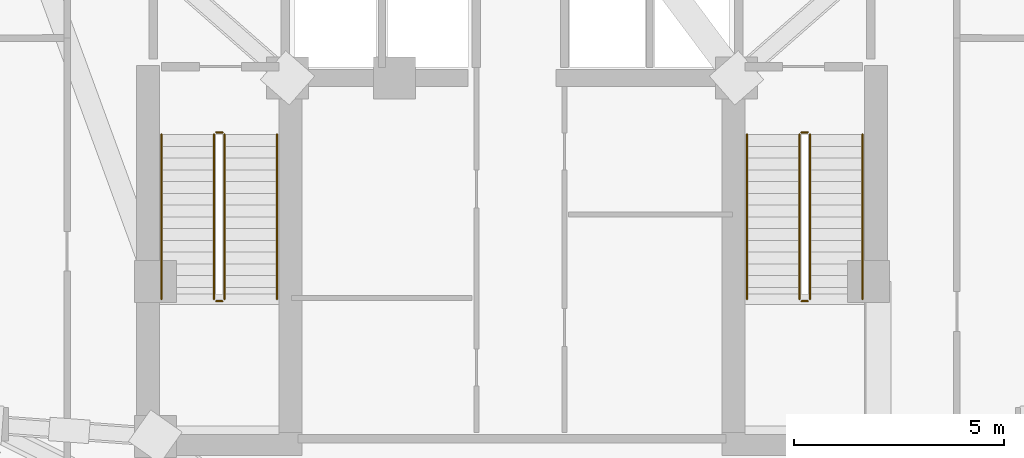
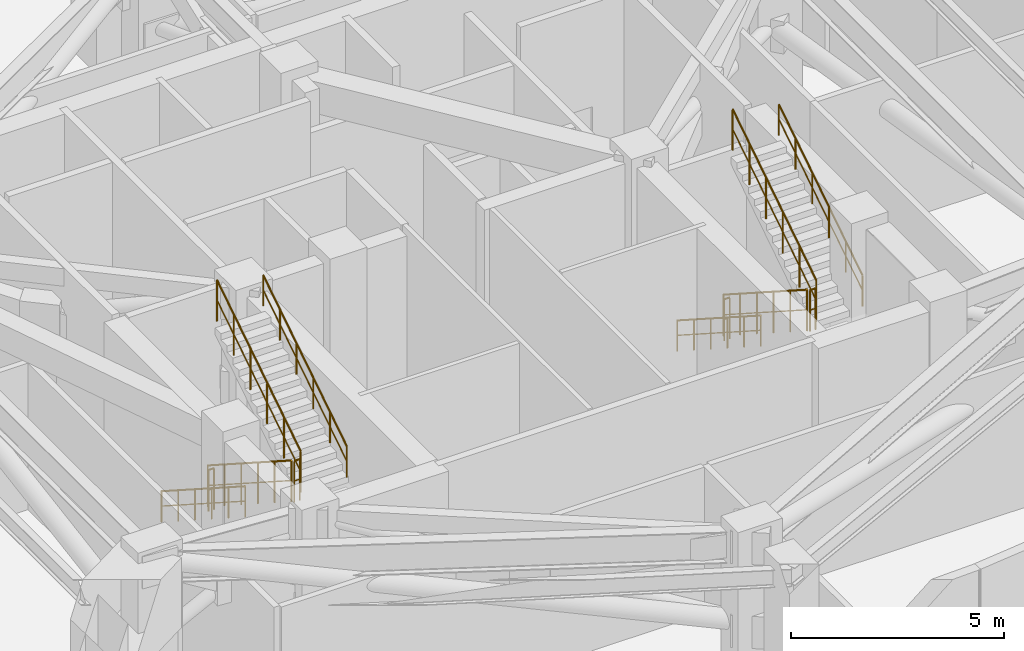
# One storey, part 5 of 5: 12 railings.
"""IFC4 building model written with IfcOpenShell, lengths in metres."""

from ifc_helpers import new_model, si_unit, direction, frame, origin, origin_2d, place, context, subcontext, project, spatial, circle, extrude, material, type_object, element, save


model = new_model("IFC4")

# Units and contexts
model_context = context("Model", 3, precision=1e-05, world=origin(), true_north=direction((0.0, 1.0)))
body_context = subcontext(model_context, "Body", "Model", "MODEL_VIEW")
ifc_project = project(units=[si_unit("LENGTHUNIT", "METRE"), si_unit("AREAUNIT", "SQUARE_METRE"), si_unit("VOLUMEUNIT", "CUBIC_METRE"), si_unit("PLANEANGLEUNIT", "RADIAN"), si_unit("MASSUNIT", "GRAM", prefix="KILO")], contexts=[model_context])

# Site, building, storey
site_placement = place(None, origin())
site = spatial("IfcSite", under=ifc_project, at=site_placement, CompositionType="ELEMENT")
building_placement = place(site_placement, origin())
building = spatial("IfcBuilding", under=site, at=building_placement, Name="Miruveldt Soraemaru", CompositionType="ELEMENT")
storey_placement = place(building_placement, frame((0.0, 0.0, 184.39990234375)))
storey = spatial("IfcBuildingStorey", under=building, at=storey_placement, Name="L51", CompositionType="ELEMENT", Elevation=184.39990234375)

# Railings
ifc_material = material(Name="Steel S355 (355 MPa)", Category="steel")
railing_type_1 = type_object("IfcRailingType", Name="RAIL-HR-900", PredefinedType="HANDRAIL", material=ifc_material)
railing_1_placement = place(storey_placement, frame((35.64990234375, 42.699951171875, 0.18017578125)))
element("IfcRailing", 1, at=railing_1_placement, inside=storey, type_object=railing_type_1, Name="L51 ST-1 stair handrail 1", PredefinedType="HANDRAIL", context=body_context, shape_type="SweptSolid", body=[
    extrude(circle(Radius=0.02392578125, at=origin_2d()), frame((0.0, 0.0, 0.8759765625), z_axis=(0.0, -0.841171666519, 0.540768182723), x_axis=(1.0, 0.0, 0.0)), (0.0, 0.0, 1.0), 4.66015625),
    extrude(circle(Radius=0.01611328125, at=origin_2d()), frame((0.0, 0.0, 0.449951171875), z_axis=(0.0, -0.841171666519, 0.540768182723), x_axis=(1.0, 0.0, 0.0)), (0.0, 0.0, 1.0), 4.66015625),
    extrude(circle(Radius=0.02099609375, at=origin_2d()), origin(), (0.0, 0.0, 1.0), 0.851806640625),
    extrude(circle(Radius=0.02099609375, at=origin_2d()), frame((0.0, -0.783935546875, 0.50390625)), (0.0, 0.0, 1.0), 0.851806640625),
    extrude(circle(Radius=0.02099609375, at=origin_2d()), frame((0.0, -1.56787109375, 1.008056640625)), (0.0, 0.0, 1.0), 0.851806640625),
    extrude(circle(Radius=0.02099609375, at=origin_2d()), frame((0.0, -2.35205078125, 1.511962890625)), (0.0, 0.0, 1.0), 0.851806640625),
    extrude(circle(Radius=0.02099609375, at=origin_2d()), frame((0.0, -3.135986328125, 2.01611328125)), (0.0, 0.0, 1.0), 0.851806640625),
    extrude(circle(Radius=0.02099609375, at=origin_2d()), frame((0.0, -3.919921875, 2.52001953125)), (0.0, 0.0, 1.0), 0.851806640625),
])
railing_2_placement = place(storey_placement, frame((38.39990234375, 38.780029296875, 2.880126953125)))
element("IfcRailing", 2, at=railing_2_placement, inside=storey, type_object=railing_type_1, Name="L51 ST-1 stair handrail 2", PredefinedType="HANDRAIL", context=body_context, shape_type="SweptSolid", body=[
    extrude(circle(Radius=0.02392578125, at=origin_2d()), frame((0.0, 0.0, 0.8759765625), z_axis=(0.0, 0.841171666519, 0.540768182723), x_axis=(-1.0, 0.0, 0.0)), (0.0, 0.0, 1.0), 4.66015625),
    extrude(circle(Radius=0.01611328125, at=origin_2d()), frame((0.0, 0.0, 0.449951171875), z_axis=(0.0, 0.841171666519, 0.540768182723), x_axis=(-1.0, 0.0, 0.0)), (0.0, 0.0, 1.0), 4.66015625),
    extrude(circle(Radius=0.02099609375, at=origin_2d()), origin(), (0.0, 0.0, 1.0), 0.851806640625),
    extrude(circle(Radius=0.02099609375, at=origin_2d()), frame((0.0, 0.783935546875, 0.50390625)), (0.0, 0.0, 1.0), 0.851806640625),
    extrude(circle(Radius=0.02099609375, at=origin_2d()), frame((0.0, 1.56787109375, 1.008056640625)), (0.0, 0.0, 1.0), 0.851806640625),
    extrude(circle(Radius=0.02099609375, at=origin_2d()), frame((0.0, 2.35205078125, 1.511962890625)), (0.0, 0.0, 1.0), 0.851806640625),
    extrude(circle(Radius=0.02099609375, at=origin_2d()), frame((0.0, 3.135986328125, 2.01611328125)), (0.0, 0.0, 1.0), 0.851806640625),
    extrude(circle(Radius=0.02099609375, at=origin_2d()), frame((0.0, 3.919921875, 2.52001953125)), (0.0, 0.0, 1.0), 0.851806640625),
])
railing_3_placement = place(storey_placement, frame((49.60009765625, 42.699951171875, 0.18017578125)))
element("IfcRailing", 3, at=railing_3_placement, inside=storey, type_object=railing_type_1, Name="L51 ST-2 stair handrail 1", PredefinedType="HANDRAIL", context=body_context, shape_type="SweptSolid", body=[
    extrude(circle(Radius=0.02392578125, at=origin_2d()), frame((0.0, 0.0, 0.8759765625), z_axis=(0.0, -0.841171666519, 0.540768182723), x_axis=(1.0, 0.0, 0.0)), (0.0, 0.0, 1.0), 4.66015625),
    extrude(circle(Radius=0.01611328125, at=origin_2d()), frame((0.0, 0.0, 0.449951171875), z_axis=(0.0, -0.841171666519, 0.540768182723), x_axis=(1.0, 0.0, 0.0)), (0.0, 0.0, 1.0), 4.66015625),
    extrude(circle(Radius=0.02099609375, at=origin_2d()), origin(), (0.0, 0.0, 1.0), 0.851806640625),
    extrude(circle(Radius=0.02099609375, at=origin_2d()), frame((0.0, -0.783935546875, 0.50390625)), (0.0, 0.0, 1.0), 0.851806640625),
    extrude(circle(Radius=0.02099609375, at=origin_2d()), frame((0.0, -1.56787109375, 1.008056640625)), (0.0, 0.0, 1.0), 0.851806640625),
    extrude(circle(Radius=0.02099609375, at=origin_2d()), frame((0.0, -2.35205078125, 1.511962890625)), (0.0, 0.0, 1.0), 0.851806640625),
    extrude(circle(Radius=0.02099609375, at=origin_2d()), frame((0.0, -3.135986328125, 2.01611328125)), (0.0, 0.0, 1.0), 0.851806640625),
    extrude(circle(Radius=0.02099609375, at=origin_2d()), frame((0.0, -3.919921875, 2.52001953125)), (0.0, 0.0, 1.0), 0.851806640625),
])
railing_4_placement = place(storey_placement, frame((52.35009765625, 38.780029296875, 2.880126953125)))
element("IfcRailing", 4, at=railing_4_placement, inside=storey, type_object=railing_type_1, Name="L51 ST-2 stair handrail 2", PredefinedType="HANDRAIL", context=body_context, shape_type="SweptSolid", body=[
    extrude(circle(Radius=0.02392578125, at=origin_2d()), frame((0.0, 0.0, 0.8759765625), z_axis=(0.0, 0.841171666519, 0.540768182723), x_axis=(-1.0, 0.0, 0.0)), (0.0, 0.0, 1.0), 4.66015625),
    extrude(circle(Radius=0.01611328125, at=origin_2d()), frame((0.0, 0.0, 0.449951171875), z_axis=(0.0, 0.841171666519, 0.540768182723), x_axis=(-1.0, 0.0, 0.0)), (0.0, 0.0, 1.0), 4.66015625),
    extrude(circle(Radius=0.02099609375, at=origin_2d()), origin(), (0.0, 0.0, 1.0), 0.851806640625),
    extrude(circle(Radius=0.02099609375, at=origin_2d()), frame((0.0, 0.783935546875, 0.50390625)), (0.0, 0.0, 1.0), 0.851806640625),
    extrude(circle(Radius=0.02099609375, at=origin_2d()), frame((0.0, 1.56787109375, 1.008056640625)), (0.0, 0.0, 1.0), 0.851806640625),
    extrude(circle(Radius=0.02099609375, at=origin_2d()), frame((0.0, 2.35205078125, 1.511962890625)), (0.0, 0.0, 1.0), 0.851806640625),
    extrude(circle(Radius=0.02099609375, at=origin_2d()), frame((0.0, 3.135986328125, 2.01611328125)), (0.0, 0.0, 1.0), 0.851806640625),
    extrude(circle(Radius=0.02099609375, at=origin_2d()), frame((0.0, 3.919921875, 2.52001953125)), (0.0, 0.0, 1.0), 0.851806640625),
])
railing_type_2 = type_object("IfcRailingType", Name="RAIL-STGUARD-1200", PredefinedType="GUARDRAIL", material=ifc_material)
railing_5_placement = place(storey_placement, frame((36.89990234375, 42.699951171875, 0.18017578125)))
element("IfcRailing", 5, at=railing_5_placement, inside=storey, type_object=railing_type_2, Name="L51 ST-1 stair guard 1", PredefinedType="GUARDRAIL", context=body_context, shape_type="SweptSolid", body=[
    extrude(circle(Radius=0.02392578125, at=origin_2d()), frame((0.0, 0.0, 1.17578125), z_axis=(0.0, -0.841171666519, 0.540768182723), x_axis=(1.0, 0.0, 0.0)), (0.0, 0.0, 1.0), 4.66015625),
    extrude(circle(Radius=0.01611328125, at=origin_2d()), frame((0.0, 0.0, 0.60009765625), z_axis=(0.0, -0.841171666519, 0.540768182723), x_axis=(1.0, 0.0, 0.0)), (0.0, 0.0, 1.0), 4.66015625),
    extrude(circle(Radius=0.02099609375, at=origin_2d()), origin(), (0.0, 0.0, 1.0), 1.15185546875),
    extrude(circle(Radius=0.02099609375, at=origin_2d()), frame((0.0, -0.783935546875, 0.50390625)), (0.0, 0.0, 1.0), 1.15185546875),
    extrude(circle(Radius=0.02099609375, at=origin_2d()), frame((0.0, -1.56787109375, 1.008056640625)), (0.0, 0.0, 1.0), 1.15185546875),
    extrude(circle(Radius=0.02099609375, at=origin_2d()), frame((0.0, -2.35205078125, 1.511962890625)), (0.0, 0.0, 1.0), 1.15185546875),
    extrude(circle(Radius=0.02099609375, at=origin_2d()), frame((0.0, -3.135986328125, 2.01611328125)), (0.0, 0.0, 1.0), 1.15185546875),
    extrude(circle(Radius=0.02099609375, at=origin_2d()), frame((0.0, -3.919921875, 2.52001953125)), (0.0, 0.0, 1.0), 1.15185546875),
])
railing_6_placement = place(storey_placement, frame((36.949951171875, 38.72998046875, 2.7001953125)))
element("IfcRailing", 6, at=railing_6_placement, inside=storey, type_object=railing_type_2, Name="L51 ST-1 stair guard 2", PredefinedType="GUARDRAIL", context=body_context, shape_type="SweptSolid", body=[
    extrude(circle(Radius=0.02392578125, at=origin_2d()), frame((0.0, 0.0, 1.17578125), z_axis=(1.0, 0.0, 0.0), x_axis=(0.0, 1.0, 0.0)), (0.0, 0.0, 1.0), 0.150146484375),
    extrude(circle(Radius=0.01611328125, at=origin_2d()), frame((0.0, 0.0, 0.60009765625), z_axis=(1.0, 0.0, 0.0), x_axis=(0.0, 1.0, 0.0)), (0.0, 0.0, 1.0), 0.150146484375),
    extrude(circle(Radius=0.02099609375, at=origin_2d()), origin(), (0.0, 0.0, 1.0), 1.15185546875),
    extrude(circle(Radius=0.02099609375, at=origin_2d()), frame((0.150146484375, 0.0, 0.0)), (0.0, 0.0, 1.0), 1.15185546875),
])
railing_7_placement = place(storey_placement, frame((37.14990234375, 38.780029296875, 2.880126953125)))
element("IfcRailing", 7, at=railing_7_placement, inside=storey, type_object=railing_type_2, Name="L51 ST-1 stair guard 3", PredefinedType="GUARDRAIL", context=body_context, shape_type="SweptSolid", body=[
    extrude(circle(Radius=0.02392578125, at=origin_2d()), frame((0.0, 0.0, 1.17578125), z_axis=(0.0, 0.841171666519, 0.540768182723), x_axis=(-1.0, 0.0, 0.0)), (0.0, 0.0, 1.0), 4.66015625),
    extrude(circle(Radius=0.01611328125, at=origin_2d()), frame((0.0, 0.0, 0.60009765625), z_axis=(0.0, 0.841171666519, 0.540768182723), x_axis=(-1.0, 0.0, 0.0)), (0.0, 0.0, 1.0), 4.66015625),
    extrude(circle(Radius=0.02099609375, at=origin_2d()), origin(), (0.0, 0.0, 1.0), 1.15185546875),
    extrude(circle(Radius=0.02099609375, at=origin_2d()), frame((0.0, 0.783935546875, 0.50390625)), (0.0, 0.0, 1.0), 1.15185546875),
    extrude(circle(Radius=0.02099609375, at=origin_2d()), frame((0.0, 1.56787109375, 1.008056640625)), (0.0, 0.0, 1.0), 1.15185546875),
    extrude(circle(Radius=0.02099609375, at=origin_2d()), frame((0.0, 2.35205078125, 1.511962890625)), (0.0, 0.0, 1.0), 1.15185546875),
    extrude(circle(Radius=0.02099609375, at=origin_2d()), frame((0.0, 3.135986328125, 2.01611328125)), (0.0, 0.0, 1.0), 1.15185546875),
    extrude(circle(Radius=0.02099609375, at=origin_2d()), frame((0.0, 3.919921875, 2.52001953125)), (0.0, 0.0, 1.0), 1.15185546875),
])
railing_8_placement = place(storey_placement, frame((36.949951171875, 42.75, 0.0)))
element("IfcRailing", 8, at=railing_8_placement, inside=storey, type_object=railing_type_2, Name="L51 ST-1 stair guard 4", PredefinedType="GUARDRAIL", context=body_context, shape_type="SweptSolid", body=[
    extrude(circle(Radius=0.02392578125, at=origin_2d()), frame((0.0, 0.0, 1.17578125), z_axis=(1.0, 0.0, 0.0), x_axis=(0.0, 1.0, 0.0)), (0.0, 0.0, 1.0), 0.150146484375),
    extrude(circle(Radius=0.01611328125, at=origin_2d()), frame((0.0, 0.0, 0.60009765625), z_axis=(1.0, 0.0, 0.0), x_axis=(0.0, 1.0, 0.0)), (0.0, 0.0, 1.0), 0.150146484375),
    extrude(circle(Radius=0.02099609375, at=origin_2d()), origin(), (0.0, 0.0, 1.0), 1.15185546875),
    extrude(circle(Radius=0.02099609375, at=origin_2d()), frame((0.150146484375, 0.0, 0.0)), (0.0, 0.0, 1.0), 1.15185546875),
])
railing_9_placement = place(storey_placement, frame((50.85009765625, 42.699951171875, 0.18017578125)))
element("IfcRailing", 9, at=railing_9_placement, inside=storey, type_object=railing_type_2, Name="L51 ST-2 stair guard 1", PredefinedType="GUARDRAIL", context=body_context, shape_type="SweptSolid", body=[
    extrude(circle(Radius=0.02392578125, at=origin_2d()), frame((0.0, 0.0, 1.17578125), z_axis=(0.0, -0.841171666519, 0.540768182723), x_axis=(1.0, 0.0, 0.0)), (0.0, 0.0, 1.0), 4.66015625),
    extrude(circle(Radius=0.01611328125, at=origin_2d()), frame((0.0, 0.0, 0.60009765625), z_axis=(0.0, -0.841171666519, 0.540768182723), x_axis=(1.0, 0.0, 0.0)), (0.0, 0.0, 1.0), 4.66015625),
    extrude(circle(Radius=0.02099609375, at=origin_2d()), origin(), (0.0, 0.0, 1.0), 1.15185546875),
    extrude(circle(Radius=0.02099609375, at=origin_2d()), frame((0.0, -0.783935546875, 0.50390625)), (0.0, 0.0, 1.0), 1.15185546875),
    extrude(circle(Radius=0.02099609375, at=origin_2d()), frame((0.0, -1.56787109375, 1.008056640625)), (0.0, 0.0, 1.0), 1.15185546875),
    extrude(circle(Radius=0.02099609375, at=origin_2d()), frame((0.0, -2.35205078125, 1.511962890625)), (0.0, 0.0, 1.0), 1.15185546875),
    extrude(circle(Radius=0.02099609375, at=origin_2d()), frame((0.0, -3.135986328125, 2.01611328125)), (0.0, 0.0, 1.0), 1.15185546875),
    extrude(circle(Radius=0.02099609375, at=origin_2d()), frame((0.0, -3.919921875, 2.52001953125)), (0.0, 0.0, 1.0), 1.15185546875),
])
railing_10_placement = place(storey_placement, frame((50.89990234375, 38.72998046875, 2.7001953125)))
element("IfcRailing", 10, at=railing_10_placement, inside=storey, type_object=railing_type_2, Name="L51 ST-2 stair guard 2", PredefinedType="GUARDRAIL", context=body_context, shape_type="SweptSolid", body=[
    extrude(circle(Radius=0.02392578125, at=origin_2d()), frame((0.0, 0.0, 1.17578125), z_axis=(1.0, 0.0, 0.0), x_axis=(0.0, 1.0, 0.0)), (0.0, 0.0, 1.0), 0.150146484375),
    extrude(circle(Radius=0.01611328125, at=origin_2d()), frame((0.0, 0.0, 0.60009765625), z_axis=(1.0, 0.0, 0.0), x_axis=(0.0, 1.0, 0.0)), (0.0, 0.0, 1.0), 0.150146484375),
    extrude(circle(Radius=0.02099609375, at=origin_2d()), origin(), (0.0, 0.0, 1.0), 1.15185546875),
    extrude(circle(Radius=0.02099609375, at=origin_2d()), frame((0.150146484375, 0.0, 0.0)), (0.0, 0.0, 1.0), 1.15185546875),
])
railing_11_placement = place(storey_placement, frame((51.10009765625, 38.780029296875, 2.880126953125)))
element("IfcRailing", 11, at=railing_11_placement, inside=storey, type_object=railing_type_2, Name="L51 ST-2 stair guard 3", PredefinedType="GUARDRAIL", context=body_context, shape_type="SweptSolid", body=[
    extrude(circle(Radius=0.02392578125, at=origin_2d()), frame((0.0, 0.0, 1.17578125), z_axis=(0.0, 0.841171666519, 0.540768182723), x_axis=(-1.0, 0.0, 0.0)), (0.0, 0.0, 1.0), 4.66015625),
    extrude(circle(Radius=0.01611328125, at=origin_2d()), frame((0.0, 0.0, 0.60009765625), z_axis=(0.0, 0.841171666519, 0.540768182723), x_axis=(-1.0, 0.0, 0.0)), (0.0, 0.0, 1.0), 4.66015625),
    extrude(circle(Radius=0.02099609375, at=origin_2d()), origin(), (0.0, 0.0, 1.0), 1.15185546875),
    extrude(circle(Radius=0.02099609375, at=origin_2d()), frame((0.0, 0.783935546875, 0.50390625)), (0.0, 0.0, 1.0), 1.15185546875),
    extrude(circle(Radius=0.02099609375, at=origin_2d()), frame((0.0, 1.56787109375, 1.008056640625)), (0.0, 0.0, 1.0), 1.15185546875),
    extrude(circle(Radius=0.02099609375, at=origin_2d()), frame((0.0, 2.35205078125, 1.511962890625)), (0.0, 0.0, 1.0), 1.15185546875),
    extrude(circle(Radius=0.02099609375, at=origin_2d()), frame((0.0, 3.135986328125, 2.01611328125)), (0.0, 0.0, 1.0), 1.15185546875),
    extrude(circle(Radius=0.02099609375, at=origin_2d()), frame((0.0, 3.919921875, 2.52001953125)), (0.0, 0.0, 1.0), 1.15185546875),
])
railing_12_placement = place(storey_placement, frame((50.89990234375, 42.75, 0.0)))
element("IfcRailing", 12, at=railing_12_placement, inside=storey, type_object=railing_type_2, Name="L51 ST-2 stair guard 4", PredefinedType="GUARDRAIL", context=body_context, shape_type="SweptSolid", body=[
    extrude(circle(Radius=0.02392578125, at=origin_2d()), frame((0.0, 0.0, 1.17578125), z_axis=(1.0, 0.0, 0.0), x_axis=(0.0, 1.0, 0.0)), (0.0, 0.0, 1.0), 0.150146484375),
    extrude(circle(Radius=0.01611328125, at=origin_2d()), frame((0.0, 0.0, 0.60009765625), z_axis=(1.0, 0.0, 0.0), x_axis=(0.0, 1.0, 0.0)), (0.0, 0.0, 1.0), 0.150146484375),
    extrude(circle(Radius=0.02099609375, at=origin_2d()), origin(), (0.0, 0.0, 1.0), 1.15185546875),
    extrude(circle(Radius=0.02099609375, at=origin_2d()), frame((0.150146484375, 0.0, 0.0)), (0.0, 0.0, 1.0), 1.15185546875),
])

save(model, "model.ifc")
